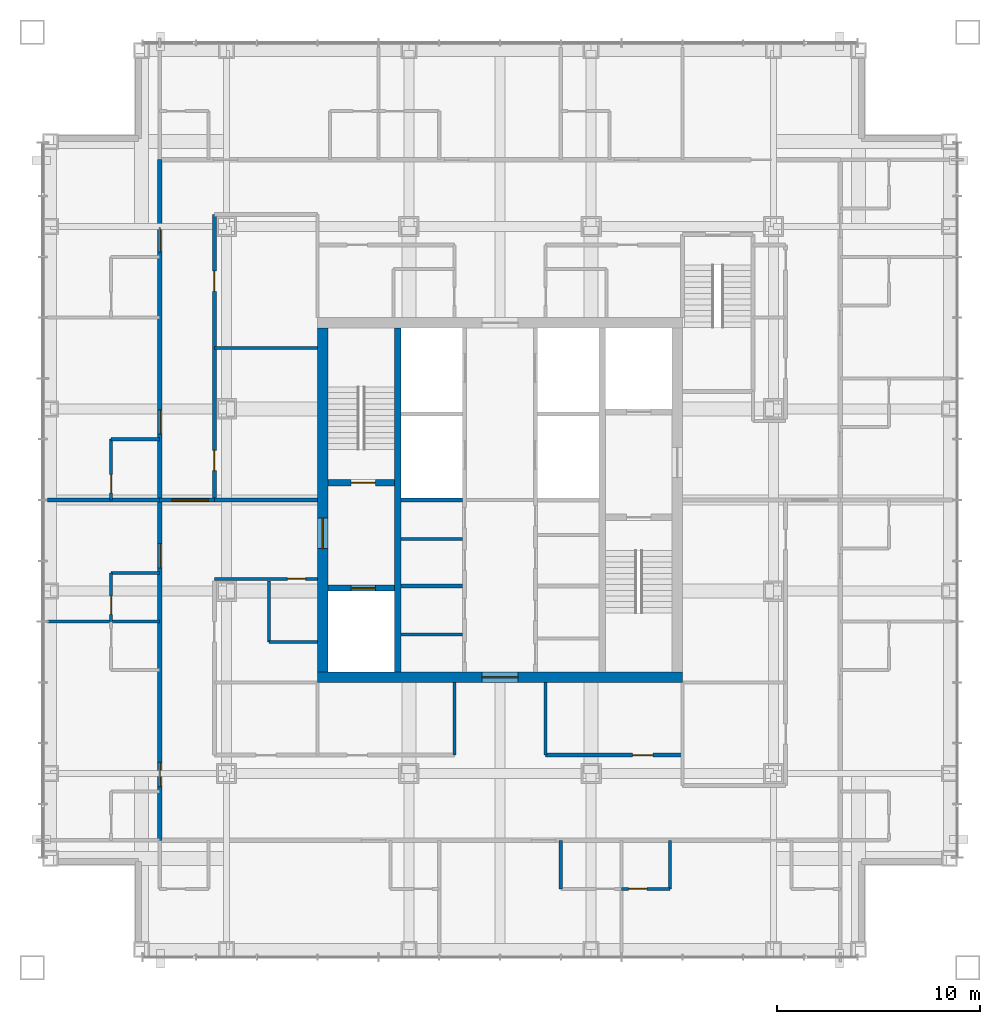
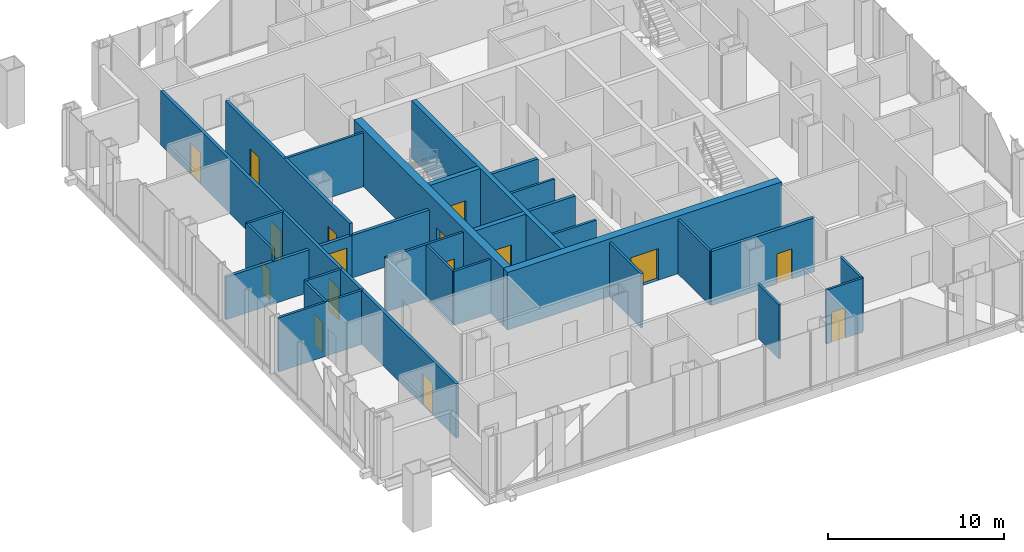
# One storey, part 7 of 15: 29 walls, 16 doors, 16 openings.
"""IFC4 building model written with IfcOpenShell, lengths in metres."""

from ifc_helpers import new_model, si_unit, direction, frame, frame_2d, origin, place, context, subcontext, project, spatial, rectangle, extrude, material, layer, layer_set, type_object, element, fill, save


model = new_model("IFC4")

# Units and contexts
model_context = context("Model", 3, precision=1e-05, world=origin(), true_north=direction((0.0, 1.0)))
body_context = subcontext(model_context, "Body", "Model", "MODEL_VIEW")
ifc_project = project(units=[si_unit("LENGTHUNIT", "METRE"), si_unit("AREAUNIT", "SQUARE_METRE"), si_unit("VOLUMEUNIT", "CUBIC_METRE"), si_unit("PLANEANGLEUNIT", "RADIAN"), si_unit("MASSUNIT", "GRAM", prefix="KILO")], contexts=[model_context])

# Site, building, storey
site_placement = place(None, origin())
site = spatial("IfcSite", under=ifc_project, at=site_placement, CompositionType="ELEMENT")
building_placement = place(site_placement, origin())
building = spatial("IfcBuilding", under=site, at=building_placement, Name="Malebo Sky Hospital", CompositionType="ELEMENT")
storey_placement = place(building_placement, frame((0.0, 0.0, 181.0)))
storey = spatial("IfcBuildingStorey", under=building, at=storey_placement, Name="L43", CompositionType="ELEMENT", Elevation=181.0)

# Walls
ifc_material_1 = material(Name="Concrete C80/95", Category="concrete")
ifc_layer_1 = layer(ifc_material_1, 0.199951171875)
ifc_layer_set_1 = layer_set([ifc_layer_1], Name="CORE INNER WALL 200")
wall_type_1 = type_object("IfcWallType", Name="CORE INNER WALL 200", PredefinedType="SHEAR", material=ifc_layer_set_1)
for number, where, z_axis, x_axis, name in (
    (1, (55.10009765625, 57.75, 0.0), (0.0, 0.0, 1.0), (1.0, 0.0, 0.0), "Core wall SW0 L43"),
    (2, (55.10009765625, 62.0, 0.0), (0.0, 0.0, 1.0), (1.0, 0.0, 0.0), "Core wall SW1 L43"),
):
    element("IfcWall", number, at=place(storey_placement, frame(where, z_axis=z_axis, x_axis=x_axis)), inside=storey, type_object=wall_type_1, Name=name, PredefinedType="SHEAR", context=body_context, shape_type="SweptSolid", body=[
        extrude(rectangle(XDim=3.0498046875, YDim=0.199951171875, at=frame_2d((1.52490234375, 0.0))), origin(), (0.0, 0.0, 1.0), 4.0),
    ])
ifc_layer_2 = layer(ifc_material_1, 0.300048828125)
ifc_layer_set_2 = layer_set([ifc_layer_2], Name="CORE INNER WALL 300")
wall_type_2 = type_object("IfcWallType", Name="CORE INNER WALL 300", PredefinedType="SHEAR", material=ifc_layer_set_2)
wall_1_placement = place(storey_placement, frame((54.949951171875, 53.5, 0.0), z_axis=(0.0, 0.0, 1.0), x_axis=(0.0, 1.0, 0.0)))
element("IfcWall", 3, at=wall_1_placement, inside=storey, type_object=wall_type_2, Name="Core wall XW L43", PredefinedType="SHEAR", context=body_context, shape_type="SweptSolid", body=[
    extrude(rectangle(XDim=17.0, YDim=0.300048828125, at=frame_2d((8.5, 0.0))), origin(), (0.0, 0.0, 1.0), 4.0),
])

# Wall, opening, door
wall_2_placement = place(storey_placement, frame((51.5, 62.85009765625, 0.0), z_axis=(0.0, 0.0, 1.0), x_axis=(1.0, 0.0, 0.0)))
wall_2 = element("IfcWall", 4, at=wall_2_placement, inside=storey, type_object=wall_type_2, Name="Core wall W1 L43", PredefinedType="SHEAR", context=body_context, shape_type="SweptSolid", body=[
    extrude(rectangle(XDim=3.300048828125, YDim=0.300048828125, at=frame_2d((1.64990234375, 0.0))), origin(), (0.0, 0.0, 1.0), 4.0),
])
opening_1_placement = place(wall_2_placement, frame((1.14990234375, 0.0, 0.0)))
opening_1 = element("IfcOpeningElement", 5, at=opening_1_placement, cuts=wall_2, Name="Opening D08", PredefinedType="OPENING", context=body_context, shape_type="SweptSolid", body=[
    extrude(rectangle(XDim=1.199951171875, YDim=2.10009765625, at=frame_2d((0.60009765625, 1.050048828125))), frame((0.0, 0.159912109375, 0.0), z_axis=(0.0, -1.0, 0.0), x_axis=(1.0, 0.0, 0.0)), (0.0, 0.0, 1.0), 0.320068359375),
])
ifc_material_2 = material(Name="Hardwood-faced door leaf in steel frame", Category="steel")
door_type_1 = type_object("IfcDoorType", Name="STAIR DOOR 1200", OperationType="SINGLE_SWING_LEFT", PredefinedType="DOOR", material=ifc_material_2)
door_1_placement = place(opening_1_placement, origin())
door_1 = element("IfcDoor", 6, at=door_1_placement, inside=storey, type_object=door_type_1, Name="Stair S1 door", OperationType="SINGLE_SWING_RIGHT", OverallHeight=2.10009765625, OverallWidth=1.199951171875, PredefinedType="DOOR", context=body_context, shape_type="SweptSolid", body=[
    extrude(rectangle(XDim=1.199951171875, YDim=2.10009765625, at=frame_2d((0.60009765625, 1.050048828125))), frame((0.0, 0.02490234375, 0.0), z_axis=(0.0, -1.0, 0.0), x_axis=(1.0, 0.0, 0.0)), (0.0, 0.0, 1.0), 0.050048828125),
])
fill(opening_1, door_1)

wall_3_placement = place(storey_placement, frame((51.5, 57.64990234375, 0.0), z_axis=(0.0, 0.0, 1.0), x_axis=(1.0, 0.0, 0.0)))
wall_3 = element("IfcWall", 7, at=wall_3_placement, inside=storey, type_object=wall_type_2, Name="Core wall W2 L43", PredefinedType="SHEAR", context=body_context, shape_type="SweptSolid", body=[
    extrude(rectangle(XDim=3.300048828125, YDim=0.300048828125, at=frame_2d((1.64990234375, 0.0))), origin(), (0.0, 0.0, 1.0), 4.0),
])
opening_2_placement = place(wall_3_placement, frame((1.14990234375, 0.0, 0.0)))
opening_2 = element("IfcOpeningElement", 8, at=opening_2_placement, cuts=wall_3, Name="Opening LD2", PredefinedType="OPENING", context=body_context, shape_type="SweptSolid", body=[
    extrude(rectangle(XDim=1.199951171875, YDim=2.199951171875, at=frame_2d((0.60009765625, 1.10009765625))), frame((0.0, 0.159912109375, 0.0), z_axis=(0.0, -1.0, 0.0), x_axis=(1.0, 0.0, 0.0)), (0.0, 0.0, 1.0), 0.320068359375),
])
ifc_material_3 = material(Name="Stainless steel sliding landing door", Category="steel")
door_type_2 = type_object("IfcDoorType", Name="FIRE-FIGHTING LIFT LANDING DOOR 1200", OperationType="SLIDING_TO_LEFT", PredefinedType="DOOR", material=ifc_material_3)
door_2_placement = place(opening_2_placement, origin())
door_2 = element("IfcDoor", 9, at=door_2_placement, inside=storey, type_object=door_type_2, Name="Lift FL1 landing door", OperationType="SLIDING_TO_LEFT", OverallHeight=2.199951171875, OverallWidth=1.199951171875, PredefinedType="DOOR", context=body_context, shape_type="SweptSolid", body=[
    extrude(rectangle(XDim=1.199951171875, YDim=2.199951171875, at=frame_2d((0.60009765625, 1.10009765625))), frame((0.0, 0.02490234375, 0.0), z_axis=(0.0, -1.0, 0.0), x_axis=(1.0, 0.0, 0.0)), (0.0, 0.0, 1.0), 0.050048828125),
])
fill(opening_2, door_2)

ifc_layer_3 = layer(ifc_material_1, 0.5)
ifc_layer_set_3 = layer_set([ifc_layer_3], Name="CORE WALL 500")
wall_type_3 = type_object("IfcWallType", Name="CORE WALL 500", PredefinedType="SHEAR", material=ifc_layer_set_3)
wall_4_placement = place(storey_placement, frame((51.0, 53.25, 0.0), z_axis=(0.0, 0.0, 1.0), x_axis=(1.0, 0.0, 0.0)))
wall_4 = element("IfcWall", 10, at=wall_4_placement, inside=storey, type_object=wall_type_3, Name="Core wall S L43", PredefinedType="SHEAR", context=body_context, shape_type="SweptSolid", body=[
    extrude(rectangle(XDim=18.0, YDim=0.5, at=frame_2d((9.0, 0.0))), origin(), (0.0, 0.0, 1.0), 4.0),
])
opening_3_placement = place(wall_4_placement, frame((8.10009765625, 0.0, 0.0)))
opening_3 = element("IfcOpeningElement", 11, at=opening_3_placement, cuts=wall_4, Name="Opening D06", PredefinedType="OPENING", context=body_context, shape_type="SweptSolid", body=[
    extrude(rectangle(XDim=1.800048828125, YDim=2.199951171875, at=frame_2d((0.89990234375, 1.10009765625))), frame((0.0, 0.260009765625, 0.0), z_axis=(0.0, -1.0, 0.0), x_axis=(1.0, 0.0, 0.0)), (0.0, 0.0, 1.0), 0.52001953125),
])
door_type_3 = type_object("IfcDoorType", Name="LOBBY DOOR PAIR 1800", OperationType="DOUBLE_DOOR_SINGLE_SWING", PredefinedType="DOOR", material=ifc_material_2)
door_3_placement = place(opening_3_placement, origin())
door_3 = element("IfcDoor", 12, at=door_3_placement, inside=storey, type_object=door_type_3, Name="Service lobby door south", OperationType="DOUBLE_DOOR_SINGLE_SWING", OverallHeight=2.199951171875, OverallWidth=1.800048828125, PredefinedType="DOOR", context=body_context, shape_type="SweptSolid", body=[
    extrude(rectangle(XDim=1.800048828125, YDim=2.199951171875, at=frame_2d((0.89990234375, 1.10009765625))), frame((0.0, 0.02490234375, 0.0), z_axis=(0.0, -1.0, 0.0), x_axis=(1.0, 0.0, 0.0)), (0.0, 0.0, 1.0), 0.050048828125),
])
fill(opening_3, door_3)

wall_5_placement = place(storey_placement, frame((51.25, 53.5, 0.0), z_axis=(0.0, 0.0, 1.0), x_axis=(0.0, 1.0, 0.0)))
wall_5 = element("IfcWall", 13, at=wall_5_placement, inside=storey, type_object=wall_type_3, Name="Core wall W L43", PredefinedType="SHEAR", context=body_context, shape_type="SweptSolid", body=[
    extrude(rectangle(XDim=17.0, YDim=0.5, at=frame_2d((8.5, 0.0))), origin(), (0.0, 0.0, 1.0), 4.0),
])
opening_4_placement = place(wall_5_placement, frame((6.10009765625, 0.0, 0.0)))
opening_4 = element("IfcOpeningElement", 14, at=opening_4_placement, cuts=wall_5, Name="Opening D07", PredefinedType="OPENING", context=body_context, shape_type="SweptSolid", body=[
    extrude(rectangle(XDim=1.5, YDim=2.199951171875, at=frame_2d((0.75, 1.10009765625))), frame((0.0, 0.260009765625, 0.0), z_axis=(0.0, -1.0, 0.0), x_axis=(1.0, 0.0, 0.0)), (0.0, 0.0, 1.0), 0.52001953125),
])
door_type_4 = type_object("IfcDoorType", Name="FIRE-FIGHTING LOBBY DOOR PAIR 1500", OperationType="DOUBLE_DOOR_SINGLE_SWING", PredefinedType="DOOR", material=ifc_material_2)
door_4_placement = place(opening_4_placement, origin())
door_4 = element("IfcDoor", 15, at=door_4_placement, inside=storey, type_object=door_type_4, Name="Fire-fighting lobby door west", OperationType="DOUBLE_DOOR_SINGLE_SWING", OverallHeight=2.199951171875, OverallWidth=1.5, PredefinedType="DOOR", context=body_context, shape_type="SweptSolid", body=[
    extrude(rectangle(XDim=1.5, YDim=2.199951171875, at=frame_2d((0.75, 1.10009765625))), frame((0.0, 0.02490234375, 0.0), z_axis=(0.0, -1.0, 0.0), x_axis=(1.0, 0.0, 0.0)), (0.0, 0.0, 1.0), 0.050048828125),
])
fill(opening_4, door_4)

# Wall, openings, doors
ifc_material_4 = material(Name="Gypsum board on steel studs", Category="steel")
ifc_layer_4 = layer(ifc_material_4, 0.199951171875)
ifc_layer_set_4 = layer_set([ifc_layer_4], Name="CORRIDOR WALL 200")
wall_type_4 = type_object("IfcWallType", Name="CORRIDOR WALL 200", PredefinedType="PARTITIONING", material=ifc_layer_set_4)
wall_6_placement = place(storey_placement, frame((43.199951171875, 45.199951171875, 0.0), z_axis=(0.0, 0.0, 1.0), x_axis=(0.0, 1.0, 0.0)))
wall_6 = element("IfcWall", 16, at=wall_6_placement, inside=storey, type_object=wall_type_4, Name="Corridor Wall 200 WCO", PredefinedType="PARTITIONING", context=body_context, shape_type="SweptSolid", body=[
    extrude(rectangle(XDim=33.60009765625, YDim=0.199951171875, at=frame_2d((16.800048828125, 0.0))), origin(), (0.0, 0.0, 1.0), 3.75),
])
opening_5_placement = place(wall_6_placement, frame((2.64990234375, 0.0, 0.0)))
opening_5 = element("IfcOpeningElement", 17, at=opening_5_placement, cuts=wall_6, Name="Opening D01", PredefinedType="OPENING", context=body_context, shape_type="SweptSolid", body=[
    extrude(rectangle(XDim=1.199951171875, YDim=2.199951171875, at=frame_2d((0.60009765625, 1.10009765625))), frame((0.0, 0.10986328125, 0.0), z_axis=(0.0, -1.0, 0.0), x_axis=(1.0, 0.0, 0.0)), (0.0, 0.0, 1.0), 0.219970703125),
])
opening_6_placement = place(wall_6_placement, frame((13.449951171875, 0.0, 0.0)))
opening_6 = element("IfcOpeningElement", 18, at=opening_6_placement, cuts=wall_6, Name="Opening D01", PredefinedType="OPENING", context=body_context, shape_type="SweptSolid", body=[
    extrude(rectangle(XDim=1.199951171875, YDim=2.199951171875, at=frame_2d((0.60009765625, 1.10009765625))), frame((0.0, 0.10986328125, 0.0), z_axis=(0.0, -1.0, 0.0), x_axis=(1.0, 0.0, 0.0)), (0.0, 0.0, 1.0), 0.219970703125),
])
opening_7_placement = place(wall_6_placement, frame((20.050048828125, 0.0, 0.0)))
opening_7 = element("IfcOpeningElement", 19, at=opening_7_placement, cuts=wall_6, Name="Opening D01", PredefinedType="OPENING", context=body_context, shape_type="SweptSolid", body=[
    extrude(rectangle(XDim=1.199951171875, YDim=2.199951171875, at=frame_2d((0.60009765625, 1.10009765625))), frame((0.0, 0.10986328125, 0.0), z_axis=(0.0, -1.0, 0.0), x_axis=(1.0, 0.0, 0.0)), (0.0, 0.0, 1.0), 0.219970703125),
])
opening_8_placement = place(wall_6_placement, frame((29.050048828125, 0.0, 0.0)))
opening_8 = element("IfcOpeningElement", 20, at=opening_8_placement, cuts=wall_6, Name="Opening D01", PredefinedType="OPENING", context=body_context, shape_type="SweptSolid", body=[
    extrude(rectangle(XDim=1.199951171875, YDim=2.199951171875, at=frame_2d((0.60009765625, 1.10009765625))), frame((0.0, 0.10986328125, 0.0), z_axis=(0.0, -1.0, 0.0), x_axis=(1.0, 0.0, 0.0)), (0.0, 0.0, 1.0), 0.219970703125),
])
door_type_5 = type_object("IfcDoorType", Name="BED DOOR 1200", OperationType="SINGLE_SWING_LEFT", PredefinedType="DOOR", material=ifc_material_2)
door_5_placement = place(opening_5_placement, origin())
door_5 = element("IfcDoor", 21, at=door_5_placement, inside=storey, type_object=door_type_5, Name="Four-bed bay door", OperationType="SINGLE_SWING_LEFT", OverallHeight=2.199951171875, OverallWidth=1.199951171875, PredefinedType="DOOR", context=body_context, shape_type="SweptSolid", body=[
    extrude(rectangle(XDim=1.199951171875, YDim=2.199951171875, at=frame_2d((0.60009765625, 1.10009765625))), frame((0.0, 0.02490234375, 0.0), z_axis=(0.0, -1.0, 0.0), x_axis=(1.0, 0.0, 0.0)), (0.0, 0.0, 1.0), 0.050048828125),
])
fill(opening_5, door_5)
door_6_placement = place(opening_6_placement, origin())
door_6 = element("IfcDoor", 22, at=door_6_placement, inside=storey, type_object=door_type_5, Name="Single bed room door", OperationType="SINGLE_SWING_LEFT", OverallHeight=2.199951171875, OverallWidth=1.199951171875, PredefinedType="DOOR", context=body_context, shape_type="SweptSolid", body=[
    extrude(rectangle(XDim=1.199951171875, YDim=2.199951171875, at=frame_2d((0.60009765625, 1.10009765625))), frame((0.0, 0.02490234375, 0.0), z_axis=(0.0, -1.0, 0.0), x_axis=(1.0, 0.0, 0.0)), (0.0, 0.0, 1.0), 0.050048828125),
])
fill(opening_6, door_6)
door_7_placement = place(opening_7_placement, origin())
door_7 = element("IfcDoor", 23, at=door_7_placement, inside=storey, type_object=door_type_5, Name="Two-bed room door", OperationType="SINGLE_SWING_LEFT", OverallHeight=2.199951171875, OverallWidth=1.199951171875, PredefinedType="DOOR", context=body_context, shape_type="SweptSolid", body=[
    extrude(rectangle(XDim=1.199951171875, YDim=2.199951171875, at=frame_2d((0.60009765625, 1.10009765625))), frame((0.0, 0.02490234375, 0.0), z_axis=(0.0, -1.0, 0.0), x_axis=(1.0, 0.0, 0.0)), (0.0, 0.0, 1.0), 0.050048828125),
])
fill(opening_7, door_7)
door_8_placement = place(opening_8_placement, origin())
door_8 = element("IfcDoor", 24, at=door_8_placement, inside=storey, type_object=door_type_5, Name="Two-bed room door", OperationType="SINGLE_SWING_LEFT", OverallHeight=2.199951171875, OverallWidth=1.199951171875, PredefinedType="DOOR", context=body_context, shape_type="SweptSolid", body=[
    extrude(rectangle(XDim=1.199951171875, YDim=2.199951171875, at=frame_2d((0.60009765625, 1.10009765625))), frame((0.0, 0.02490234375, 0.0), z_axis=(0.0, -1.0, 0.0), x_axis=(1.0, 0.0, 0.0)), (0.0, 0.0, 1.0), 0.050048828125),
])
fill(opening_8, door_8)

wall_7_placement = place(storey_placement, frame((45.89990234375, 62.0, 0.0), z_axis=(0.0, 0.0, 1.0), x_axis=(0.0, 1.0, 0.0)))
wall_7 = element("IfcWall", 25, at=wall_7_placement, inside=storey, type_object=wall_type_4, Name="Corridor Wall 200 WCI2", PredefinedType="PARTITIONING", context=body_context, shape_type="SweptSolid", body=[
    extrude(rectangle(XDim=14.10009765625, YDim=0.199951171875, at=frame_2d((7.050048828125, 0.0))), origin(), (0.0, 0.0, 1.0), 3.75),
])
opening_9_placement = place(wall_7_placement, frame((1.449951171875, 0.0, 0.0)))
opening_9 = element("IfcOpeningElement", 26, at=opening_9_placement, cuts=wall_7, Name="Opening D03", PredefinedType="OPENING", context=body_context, shape_type="SweptSolid", body=[
    extrude(rectangle(XDim=1.0, YDim=2.10009765625, at=frame_2d((0.5, 1.050048828125))), frame((0.0, 0.10986328125, 0.0), z_axis=(0.0, -1.0, 0.0), x_axis=(1.0, 0.0, 0.0)), (0.0, 0.0, 1.0), 0.219970703125),
])
opening_10_placement = place(wall_7_placement, frame((10.300048828125, 0.0, 0.0)))
opening_10 = element("IfcOpeningElement", 27, at=opening_10_placement, cuts=wall_7, Name="Opening D03", PredefinedType="OPENING", context=body_context, shape_type="SweptSolid", body=[
    extrude(rectangle(XDim=1.0, YDim=2.10009765625, at=frame_2d((0.5, 1.050048828125))), frame((0.0, 0.10986328125, 0.0), z_axis=(0.0, -1.0, 0.0), x_axis=(1.0, 0.0, 0.0)), (0.0, 0.0, 1.0), 0.219970703125),
])
door_type_6 = type_object("IfcDoorType", Name="ROOM DOOR 1000", OperationType="SINGLE_SWING_LEFT", PredefinedType="DOOR", material=ifc_material_2)
door_9_placement = place(opening_9_placement, origin())
door_9 = element("IfcDoor", 28, at=door_9_placement, inside=storey, type_object=door_type_6, Name="Staff rest room door", OperationType="SINGLE_SWING_LEFT", OverallHeight=2.10009765625, OverallWidth=1.0, PredefinedType="DOOR", context=body_context, shape_type="SweptSolid", body=[
    extrude(rectangle(XDim=1.0, YDim=2.10009765625, at=frame_2d((0.5, 1.050048828125))), frame((0.0, 0.02490234375, 0.0), z_axis=(0.0, -1.0, 0.0), x_axis=(1.0, 0.0, 0.0)), (0.0, 0.0, 1.0), 0.050048828125),
])
fill(opening_9, door_9)
door_10_placement = place(opening_10_placement, origin())
door_10 = element("IfcDoor", 29, at=door_10_placement, inside=storey, type_object=door_type_6, Name="Interview room door", OperationType="SINGLE_SWING_RIGHT", OverallHeight=2.10009765625, OverallWidth=1.0, PredefinedType="DOOR", context=body_context, shape_type="SweptSolid", body=[
    extrude(rectangle(XDim=1.0, YDim=2.10009765625, at=frame_2d((0.5, 1.050048828125))), frame((0.0, 0.02490234375, 0.0), z_axis=(0.0, -1.0, 0.0), x_axis=(1.0, 0.0, 0.0)), (0.0, 0.0, 1.0), 0.050048828125),
])
fill(opening_10, door_10)

# Wall, opening, door
wall_8_placement = place(storey_placement, frame((69.0, 49.39990234375, 0.0), z_axis=(0.0, 0.0, 1.0), x_axis=(-1.0, 0.0, 0.0)))
wall_8 = element("IfcWall", 30, at=wall_8_placement, inside=storey, type_object=wall_type_4, Name="Corridor Wall 200 SCI1", PredefinedType="PARTITIONING", context=body_context, shape_type="SweptSolid", body=[
    extrude(rectangle(XDim=6.75, YDim=0.199951171875, at=frame_2d((3.375, 0.0))), origin(), (0.0, 0.0, 1.0), 3.75),
])
opening_11_placement = place(wall_8_placement, frame((1.449951171875, 0.0, 0.0)))
opening_11 = element("IfcOpeningElement", 31, at=opening_11_placement, cuts=wall_8, Name="Opening D03", PredefinedType="OPENING", context=body_context, shape_type="SweptSolid", body=[
    extrude(rectangle(XDim=1.0, YDim=2.10009765625, at=frame_2d((0.5, 1.050048828125))), frame((0.0, 0.10986328125, 0.0), z_axis=(0.0, -1.0, 0.0), x_axis=(1.0, 0.0, 0.0)), (0.0, 0.0, 1.0), 0.219970703125),
])
door_11_placement = place(opening_11_placement, origin())
door_11 = element("IfcDoor", 32, at=door_11_placement, inside=storey, type_object=door_type_6, Name="Treatment room door", OperationType="SINGLE_SWING_LEFT", OverallHeight=2.10009765625, OverallWidth=1.0, PredefinedType="DOOR", context=body_context, shape_type="SweptSolid", body=[
    extrude(rectangle(XDim=1.0, YDim=2.10009765625, at=frame_2d((0.5, 1.050048828125))), frame((0.0, 0.02490234375, 0.0), z_axis=(0.0, -1.0, 0.0), x_axis=(1.0, 0.0, 0.0)), (0.0, 0.0, 1.0), 0.050048828125),
])
fill(opening_11, door_11)

# Wall
ifc_layer_5 = layer(ifc_material_4, 0.14990234375)
ifc_layer_set_5 = layer_set([ifc_layer_5], Name="PARTITION 150")
wall_type_5 = type_object("IfcWallType", Name="PARTITION 150", PredefinedType="PARTITIONING", material=ifc_layer_set_5)
wall_9_placement = place(storey_placement, frame((43.199951171875, 56.0, 0.0), z_axis=(0.0, 0.0, 1.0), x_axis=(-1.0, 0.0, 0.0)))
element("IfcWall", 33, at=wall_9_placement, inside=storey, type_object=wall_type_5, Name="Partition 150 WP-6.0", PredefinedType="PARTITIONING", context=body_context, shape_type="SweptSolid", body=[
    extrude(rectangle(XDim=5.550048828125, YDim=0.14990234375, at=frame_2d((2.77490234375, 0.0))), origin(), (0.0, 0.0, 1.0), 3.75),
])

# Wall, opening, door
wall_10_placement = place(storey_placement, frame((40.800048828125, 56.0, 0.0), z_axis=(0.0, 0.0, 1.0), x_axis=(0.0, 1.0, 0.0)))
wall_10 = element("IfcWall", 34, at=wall_10_placement, inside=storey, type_object=wall_type_5, Name="Partition 150 WE1F", PredefinedType="PARTITIONING", context=body_context, shape_type="SweptSolid", body=[
    extrude(rectangle(XDim=2.39990234375, YDim=0.14990234375, at=frame_2d((1.199951171875, 0.0))), origin(), (0.0, 0.0, 1.0), 3.75),
])
opening_12_placement = place(wall_10_placement, frame((0.35009765625, 0.0, 0.0)))
opening_12 = element("IfcOpeningElement", 35, at=opening_12_placement, cuts=wall_10, Name="Opening D02", PredefinedType="OPENING", context=body_context, shape_type="SweptSolid", body=[
    extrude(rectangle(XDim=0.89990234375, YDim=2.10009765625, at=frame_2d((0.449951171875, 1.050048828125))), frame((0.0, 0.0849609375, 0.0), z_axis=(0.0, -1.0, 0.0), x_axis=(1.0, 0.0, 0.0)), (0.0, 0.0, 1.0), 0.169921875),
])
door_type_7 = type_object("IfcDoorType", Name="EN-SUITE DOOR 900", OperationType="SINGLE_SWING_LEFT", PredefinedType="DOOR", material=ifc_material_2)
door_12_placement = place(opening_12_placement, origin())
door_12 = element("IfcDoor", 36, at=door_12_placement, inside=storey, type_object=door_type_7, Name="En-suite door", OperationType="SINGLE_SWING_LEFT", OverallHeight=2.10009765625, OverallWidth=0.89990234375, PredefinedType="DOOR", context=body_context, shape_type="SweptSolid", body=[
    extrude(rectangle(XDim=0.89990234375, YDim=2.10009765625, at=frame_2d((0.449951171875, 1.050048828125))), frame((0.0, 0.02490234375, 0.0), z_axis=(0.0, -1.0, 0.0), x_axis=(1.0, 0.0, 0.0)), (0.0, 0.0, 1.0), 0.050048828125),
])
fill(opening_12, door_12)

# Wall
wall_11_placement = place(storey_placement, frame((43.199951171875, 58.39990234375, 0.0), z_axis=(0.0, 0.0, 1.0), x_axis=(-1.0, 0.0, 0.0)))
element("IfcWall", 37, at=wall_11_placement, inside=storey, type_object=wall_type_5, Name="Partition 150 WE1S", PredefinedType="PARTITIONING", context=body_context, shape_type="SweptSolid", body=[
    extrude(rectangle(XDim=2.39990234375, YDim=0.14990234375, at=frame_2d((1.199951171875, 0.0))), origin(), (0.0, 0.0, 1.0), 3.75),
])

# Wall, opening, door
wall_12_placement = place(storey_placement, frame((40.800048828125, 62.0, 0.0), z_axis=(0.0, 0.0, 1.0), x_axis=(0.0, 1.0, 0.0)))
wall_12 = element("IfcWall", 38, at=wall_12_placement, inside=storey, type_object=wall_type_5, Name="Partition 150 WE2F", PredefinedType="PARTITIONING", context=body_context, shape_type="SweptSolid", body=[
    extrude(rectangle(XDim=3.0, YDim=0.14990234375, at=frame_2d((1.5, 0.0))), origin(), (0.0, 0.0, 1.0), 3.75),
])
opening_13_placement = place(wall_12_placement, frame((0.35009765625, 0.0, 0.0)))
opening_13 = element("IfcOpeningElement", 39, at=opening_13_placement, cuts=wall_12, Name="Opening D02", PredefinedType="OPENING", context=body_context, shape_type="SweptSolid", body=[
    extrude(rectangle(XDim=0.89990234375, YDim=2.10009765625, at=frame_2d((0.449951171875, 1.050048828125))), frame((0.0, 0.0849609375, 0.0), z_axis=(0.0, -1.0, 0.0), x_axis=(1.0, 0.0, 0.0)), (0.0, 0.0, 1.0), 0.169921875),
])
door_13_placement = place(opening_13_placement, origin())
door_13 = element("IfcDoor", 40, at=door_13_placement, inside=storey, type_object=door_type_7, Name="En-suite door", OperationType="SINGLE_SWING_LEFT", OverallHeight=2.10009765625, OverallWidth=0.89990234375, PredefinedType="DOOR", context=body_context, shape_type="SweptSolid", body=[
    extrude(rectangle(XDim=0.89990234375, YDim=2.10009765625, at=frame_2d((0.449951171875, 1.050048828125))), frame((0.0, 0.02490234375, 0.0), z_axis=(0.0, -1.0, 0.0), x_axis=(1.0, 0.0, 0.0)), (0.0, 0.0, 1.0), 0.050048828125),
])
fill(opening_13, door_13)

# Wall
wall_13_placement = place(storey_placement, frame((43.199951171875, 65.0, 0.0), z_axis=(0.0, 0.0, 1.0), x_axis=(-1.0, 0.0, 0.0)))
element("IfcWall", 41, at=wall_13_placement, inside=storey, type_object=wall_type_5, Name="Partition 150 WE2S", PredefinedType="PARTITIONING", context=body_context, shape_type="SweptSolid", body=[
    extrude(rectangle(XDim=2.39990234375, YDim=0.14990234375, at=frame_2d((1.199951171875, 0.0))), origin(), (0.0, 0.0, 1.0), 3.75),
])

# Wall, opening, door
wall_14_placement = place(storey_placement, frame((51.0, 58.10009765625, 0.0), z_axis=(0.0, 0.0, 1.0), x_axis=(-1.0, 0.0, 0.0)))
wall_14 = element("IfcWall", 42, at=wall_14_placement, inside=storey, type_object=wall_type_5, Name="Partition 150 WSPA", PredefinedType="PARTITIONING", context=body_context, shape_type="SweptSolid", body=[
    extrude(rectangle(XDim=5.10009765625, YDim=0.14990234375, at=frame_2d((2.550048828125, 0.0))), origin(), (0.0, 0.0, 1.0), 3.75),
])
opening_14_placement = place(wall_14_placement, frame((0.60009765625, 0.0, 0.0)))
opening_14 = element("IfcOpeningElement", 43, at=opening_14_placement, cuts=wall_14, Name="Opening D04", PredefinedType="OPENING", context=body_context, shape_type="SweptSolid", body=[
    extrude(rectangle(XDim=0.89990234375, YDim=2.10009765625, at=frame_2d((0.449951171875, 1.050048828125))), frame((0.0, 0.0849609375, 0.0), z_axis=(0.0, -1.0, 0.0), x_axis=(1.0, 0.0, 0.0)), (0.0, 0.0, 1.0), 0.169921875),
])
door_type_8 = type_object("IfcDoorType", Name="ROOM DOOR 900", OperationType="SINGLE_SWING_LEFT", PredefinedType="DOOR", material=ifc_material_2)
door_14_placement = place(opening_14_placement, origin())
door_14 = element("IfcDoor", 44, at=door_14_placement, inside=storey, type_object=door_type_8, Name="Cleaner's room door", OperationType="SINGLE_SWING_LEFT", OverallHeight=2.10009765625, OverallWidth=0.89990234375, PredefinedType="DOOR", context=body_context, shape_type="SweptSolid", body=[
    extrude(rectangle(XDim=0.89990234375, YDim=2.10009765625, at=frame_2d((0.449951171875, 1.050048828125))), frame((0.0, 0.02490234375, 0.0), z_axis=(0.0, -1.0, 0.0), x_axis=(1.0, 0.0, 0.0)), (0.0, 0.0, 1.0), 0.050048828125),
])
fill(opening_14, door_14)

# Walls
wall_15_placement = place(storey_placement, frame((51.0, 69.5, 0.0), z_axis=(0.0, 0.0, 1.0), x_axis=(-1.0, 0.0, 0.0)))
element("IfcWall", 45, at=wall_15_placement, inside=storey, type_object=wall_type_5, Name="Partition 150 WSP+7.5", PredefinedType="PARTITIONING", context=body_context, shape_type="SweptSolid", body=[
    extrude(rectangle(XDim=5.10009765625, YDim=0.14990234375, at=frame_2d((2.550048828125, 0.0))), origin(), (0.0, 0.0, 1.0), 3.75),
])
wall_16_placement = place(storey_placement, frame((48.60009765625, 55.0, 0.0), z_axis=(0.0, 0.0, 1.0), x_axis=(0.0, 1.0, 0.0)))
element("IfcWall", 46, at=wall_16_placement, inside=storey, type_object=wall_type_5, Name="Partition 150 WSX0", PredefinedType="PARTITIONING", context=body_context, shape_type="SweptSolid", body=[
    extrude(rectangle(XDim=3.0, YDim=0.14990234375, at=frame_2d((1.5, 0.0))), origin(), (0.0, 0.0, 1.0), 3.75),
])
wall_17_placement = place(storey_placement, frame((51.0, 55.0, 0.0), z_axis=(0.0, 0.0, 1.0), x_axis=(-1.0, 0.0, 0.0)))
element("IfcWall", 47, at=wall_17_placement, inside=storey, type_object=wall_type_5, Name="Partition 150 WSY0", PredefinedType="PARTITIONING", context=body_context, shape_type="SweptSolid", body=[
    extrude(rectangle(XDim=2.39990234375, YDim=0.14990234375, at=frame_2d((1.199951171875, 0.0))), origin(), (0.0, 0.0, 1.0), 3.75),
])

# Wall, opening, door
wall_18_placement = place(storey_placement, frame((68.39990234375, 42.800048828125, 0.0), z_axis=(0.0, 0.0, 1.0), x_axis=(-1.0, 0.0, 0.0)))
wall_18 = element("IfcWall", 48, at=wall_18_placement, inside=storey, type_object=wall_type_5, Name="Partition 150 SG0F", PredefinedType="PARTITIONING", context=body_context, shape_type="SweptSolid", body=[
    extrude(rectangle(XDim=2.39990234375, YDim=0.14990234375, at=frame_2d((1.199951171875, 0.0))), origin(), (0.0, 0.0, 1.0), 3.75),
])
opening_15_placement = place(wall_18_placement, frame((1.14990234375, 0.0, 0.0)))
opening_15 = element("IfcOpeningElement", 49, at=opening_15_placement, cuts=wall_18, Name="Opening D02", PredefinedType="OPENING", context=body_context, shape_type="SweptSolid", body=[
    extrude(rectangle(XDim=0.89990234375, YDim=2.10009765625, at=frame_2d((0.449951171875, 1.050048828125))), frame((0.0, 0.0849609375, 0.0), z_axis=(0.0, -1.0, 0.0), x_axis=(1.0, 0.0, 0.0)), (0.0, 0.0, 1.0), 0.169921875),
])
door_15_placement = place(opening_15_placement, origin())
door_15 = element("IfcDoor", 50, at=door_15_placement, inside=storey, type_object=door_type_7, Name="En-suite door", OperationType="SINGLE_SWING_RIGHT", OverallHeight=2.10009765625, OverallWidth=0.89990234375, PredefinedType="DOOR", context=body_context, shape_type="SweptSolid", body=[
    extrude(rectangle(XDim=0.89990234375, YDim=2.10009765625, at=frame_2d((0.449951171875, 1.050048828125))), frame((0.0, 0.02490234375, 0.0), z_axis=(0.0, -1.0, 0.0), x_axis=(1.0, 0.0, 0.0)), (0.0, 0.0, 1.0), 0.050048828125),
])
fill(opening_15, door_15)

# Walls
for number, where, z_axis, x_axis, name in (
    (51, (68.39990234375, 45.199951171875, 0.0), (0.0, 0.0, 1.0), (0.0, -1.0, 0.0), "Partition 150 SG0S"),
    (52, (63.0, 45.199951171875, 0.0), (0.0, 0.0, 1.0), (0.0, -1.0, 0.0), "Partition 150 SE1S"),
):
    element("IfcWall", number, at=place(storey_placement, frame(where, z_axis=z_axis, x_axis=x_axis)), inside=storey, type_object=wall_type_5, Name=name, PredefinedType="PARTITIONING", context=body_context, shape_type="SweptSolid", body=[
        extrude(rectangle(XDim=2.39990234375, YDim=0.14990234375, at=frame_2d((1.199951171875, 0.0))), origin(), (0.0, 0.0, 1.0), 3.75),
    ])
for number, where, z_axis, x_axis, name in (
    (53, (62.25, 53.0, 0.0), (0.0, 0.0, 1.0), (0.0, -1.0, 0.0), "Partition 150 SSPA"),
    (54, (57.75, 53.0, 0.0), (0.0, 0.0, 1.0), (0.0, -1.0, 0.0), "Partition 150 SSPB"),
):
    element("IfcWall", number, at=place(storey_placement, frame(where, z_axis=z_axis, x_axis=x_axis)), inside=storey, type_object=wall_type_5, Name=name, PredefinedType="PARTITIONING", context=body_context, shape_type="SweptSolid", body=[
        extrude(rectangle(XDim=3.60009765625, YDim=0.14990234375, at=frame_2d((1.800048828125, 0.0))), origin(), (0.0, 0.0, 1.0), 3.75),
    ])
for number, where, z_axis, x_axis, name in (
    (55, (55.10009765625, 55.366943359375, 0.0), (0.0, 0.0, 1.0), (1.0, 0.0, 0.0), "Partition 150 SHW1"),
    (56, (55.10009765625, 60.077880859375, 0.0), (0.0, 0.0, 1.0), (1.0, 0.0, 0.0), "Partition 150 SHW2"),
):
    element("IfcWall", number, at=place(storey_placement, frame(where, z_axis=z_axis, x_axis=x_axis)), inside=storey, type_object=wall_type_5, Name=name, PredefinedType="PARTITIONING", context=body_context, shape_type="SweptSolid", body=[
        extrude(rectangle(XDim=3.0498046875, YDim=0.14990234375, at=frame_2d((1.52490234375, 0.0))), origin(), (0.0, 0.0, 1.0), 3.75),
    ])
ifc_material_5 = material(Name="Concrete blockwork", Category="masonry")
ifc_layer_6 = layer(ifc_material_5, 0.199951171875)
ifc_layer_set_6 = layer_set([ifc_layer_6], Name="SMOKE BARRIER WALL 200")
wall_type_6 = type_object("IfcWallType", Name="SMOKE BARRIER WALL 200", PredefinedType="SOLIDWALL", material=ifc_layer_set_6)
wall_19_placement = place(storey_placement, frame((43.199951171875, 62.0, 0.0), z_axis=(0.0, 0.0, 1.0), x_axis=(-1.0, 0.0, 0.0)))
element("IfcWall", 57, at=wall_19_placement, inside=storey, type_object=wall_type_6, Name="Smoke Barrier Wall 200 WP+0.0", PredefinedType="SOLIDWALL", context=body_context, shape_type="SweptSolid", body=[
    extrude(rectangle(XDim=5.550048828125, YDim=0.199951171875, at=frame_2d((2.77490234375, 0.0))), origin(), (0.0, 0.0, 1.0), 2.949951171875),
])
wall_20_placement = place(storey_placement, frame((51.0, 62.0, 0.0), z_axis=(0.0, 0.0, 1.0), x_axis=(-1.0, 0.0, 0.0)))
element("IfcWall", 58, at=wall_20_placement, inside=storey, type_object=wall_type_6, Name="Smoke Barrier Wall 200 WSPB", PredefinedType="SOLIDWALL", context=body_context, shape_type="SweptSolid", body=[
    extrude(rectangle(XDim=5.10009765625, YDim=0.199951171875, at=frame_2d((2.550048828125, 0.0))), origin(), (0.0, 0.0, 1.0), 2.949951171875),
])

# Wall, opening, door
wall_21_placement = place(storey_placement, frame((45.89990234375, 62.0, 0.0), z_axis=(0.0, 0.0, 1.0), x_axis=(-1.0, 0.0, 0.0)))
wall_21 = element("IfcWall", 59, at=wall_21_placement, inside=storey, type_object=wall_type_6, Name="Smoke Barrier Wall 200 WSB", PredefinedType="SOLIDWALL", context=body_context, shape_type="SweptSolid", body=[
    extrude(rectangle(XDim=2.699951171875, YDim=0.199951171875, at=frame_2d((1.35009765625, 0.0))), origin(), (0.0, 0.0, 1.0), 2.949951171875),
])
opening_16_placement = place(wall_21_placement, frame((0.300048828125, 0.0, 0.0)))
opening_16 = element("IfcOpeningElement", 60, at=opening_16_placement, cuts=wall_21, Name="Opening D05", PredefinedType="OPENING", context=body_context, shape_type="SweptSolid", body=[
    extrude(rectangle(XDim=1.800048828125, YDim=2.199951171875, at=frame_2d((0.89990234375, 1.10009765625))), frame((0.0, 0.10986328125, 0.0), z_axis=(0.0, -1.0, 0.0), x_axis=(1.0, 0.0, 0.0)), (0.0, 0.0, 1.0), 0.219970703125),
])
door_type_9 = type_object("IfcDoorType", Name="SMOKE DOOR PAIR 1800", OperationType="DOUBLE_DOOR_DOUBLE_SWING", PredefinedType="DOOR", material=ifc_material_2)
door_16_placement = place(opening_16_placement, origin())
door_16 = element("IfcDoor", 61, at=door_16_placement, inside=storey, type_object=door_type_9, Name="Smoke compartment door pair", OperationType="DOUBLE_DOOR_DOUBLE_SWING", OverallHeight=2.199951171875, OverallWidth=1.800048828125, PredefinedType="DOOR", context=body_context, shape_type="SweptSolid", body=[
    extrude(rectangle(XDim=1.800048828125, YDim=2.199951171875, at=frame_2d((0.89990234375, 1.10009765625))), frame((0.0, 0.02490234375, 0.0), z_axis=(0.0, -1.0, 0.0), x_axis=(1.0, 0.0, 0.0)), (0.0, 0.0, 1.0), 0.050048828125),
])
fill(opening_16, door_16)

save(model, "model.ifc")
